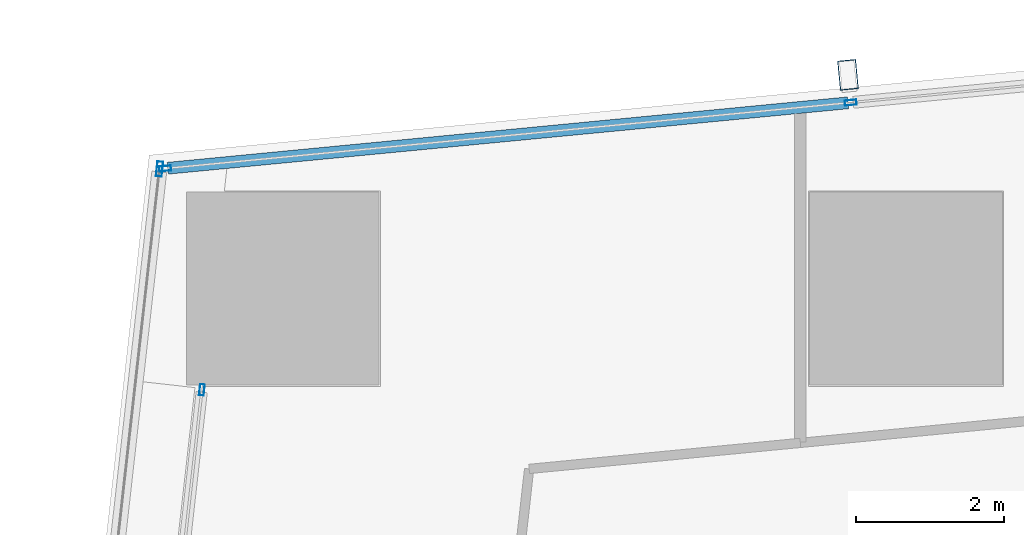
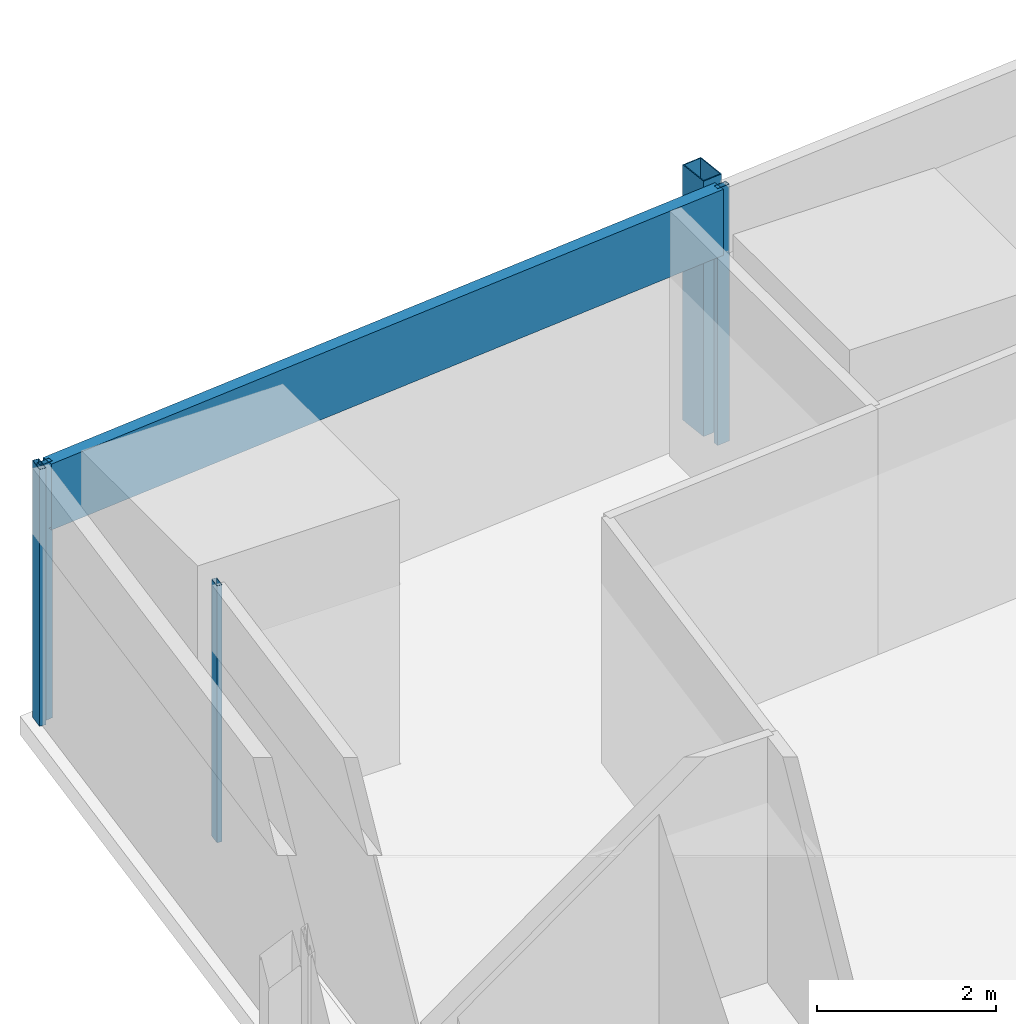
# One storey, part 16 of 46: 6 members, 3 elements without a shape of their own.
"""IFC4 building model written with IfcOpenShell, lengths in metres."""

from ifc_helpers import new_model, si_unit, direction, frame, origin, origin_2d, place, context, subcontext, project, spatial, hollow_rectangle, extrude, material, material_profile, profile_set, type_object, element, aggregate, save


model = new_model("IFC4")

# Units and contexts
model_context = context("Model", 3, precision=1e-05, world=origin(), true_north=direction((0.0, 1.0)))
body_context = subcontext(model_context, "Body", "Model", "MODEL_VIEW")
ifc_project = project(units=[si_unit("LENGTHUNIT", "METRE"), si_unit("AREAUNIT", "SQUARE_METRE"), si_unit("VOLUMEUNIT", "CUBIC_METRE"), si_unit("PLANEANGLEUNIT", "RADIAN"), si_unit("MASSUNIT", "GRAM", prefix="KILO")], contexts=[model_context])

# Site, building, storey
site_placement = place(None, origin())
site = spatial("IfcSite", under=ifc_project, at=site_placement, CompositionType="ELEMENT")
building_placement = place(site_placement, origin())
building = spatial("IfcBuilding", under=site, at=building_placement, Name="Rekha Terrace Tower", CompositionType="ELEMENT")
storey_placement = place(building_placement, frame((0.0, 0.0, 29.14990234375)))
storey = spatial("IfcBuildingStorey", under=building, at=storey_placement, Name="L06", CompositionType="ELEMENT", Elevation=29.14990234375)

# Curtain wall, member
ifc_material_1 = material(Name="Aluminium framing", Category="aluminium")
curtain_wall_type_1 = type_object("IfcCurtainWallType", Name="CW3 north unitised glazing", PredefinedType="USERDEFINED", material=ifc_material_1)
curtain_wall_1_placement = place(storey_placement, origin())
curtain_wall_1 = element("IfcCurtainWall", 1, at=curtain_wall_1_placement, inside=storey, type_object=curtain_wall_type_1, Name="CW3 unitised curtain wall", ObjectType="UNITISED CURTAIN WALL", PredefinedType="USERDEFINED")
ifc_material_2 = material(Name="Steel S355 with fluorocarbon finish", Category="steel")
ifc_material_profile_1 = material_profile(ifc_material_2, hollow_rectangle(XDim=0.25, YDim=0.39990234375, WallThickness=0.012451171875, at=origin_2d()), Name="RHS400x250x12.5")
ifc_profile_set_1 = profile_set([ifc_material_profile_1], Name="Steel S355 with fluorocarbon finish")
member_type_1 = type_object("IfcMemberType", Name="BL1 facade blade RHS 400 x 250", PredefinedType="USERDEFINED", material=ifc_profile_set_1)
member_1_placement = place(storey_placement, frame((16.01708984375, 61.681396484375, 0.02001953125), z_axis=(0.0, 0.0, 1.0), x_axis=(-0.995409070123, -0.095711980009, 0.0)))
member_1 = element("IfcMember", 2, at=member_1_placement, type_object=member_type_1, Name="Facade blade", ObjectType="FACADE BLADE", PredefinedType="USERDEFINED", context=body_context, shape_type="SweptSolid", body=[
    extrude(hollow_rectangle(XDim=0.25, YDim=0.39990234375, WallThickness=0.012451171875, at=origin_2d()), origin(), (0.0, 0.0, 1.0), 3.47998046875),
])

curtain_wall_type_2 = type_object("IfcCurtainWallType", Name="CW1 double skin inner glazing", PredefinedType="USERDEFINED", material=ifc_material_1)
curtain_wall_2_placement = place(storey_placement, origin())
curtain_wall_2 = element("IfcCurtainWall", 3, at=curtain_wall_2_placement, inside=storey, type_object=curtain_wall_type_2, Name="CW1 double skin inner glazing", ObjectType="DOUBLE SKIN INNER GLAZING", PredefinedType="USERDEFINED")
ifc_material_3 = material(Name="Aluminium mullion section", Category="aluminium")
ifc_material_profile_2 = material_profile(ifc_material_3, hollow_rectangle(XDim=0.06494140625, YDim=0.14990234375, WallThickness=0.00390625, at=origin_2d()), Name="AL RHS 65x150")
ifc_profile_set_2 = profile_set([ifc_material_profile_2], Name="Aluminium mullion section")
member_type_2 = type_object("IfcMemberType", Name="CW1 mullion RHS 65 x 150", PredefinedType="MULLION", material=ifc_profile_set_2)
member_2_placement = place(storey_placement, frame((7.31103515625, 57.437255859375, 0.0), z_axis=(0.0, 0.0, 1.0), x_axis=(0.99373861552, -0.111729870782, 0.0)))
member_2 = element("IfcMember", 4, at=member_2_placement, type_object=member_type_2, Name="CW1 mullion 1", PredefinedType="MULLION", context=body_context, shape_type="SweptSolid", body=[
    extrude(hollow_rectangle(XDim=0.06494140625, YDim=0.14990234375, WallThickness=0.00390625, at=origin_2d()), origin(), (0.0, 0.0, 1.0), 3.5),
])
aggregate(curtain_wall_2, [member_2])

curtain_wall_type_3 = type_object("IfcCurtainWallType", Name="CW2 double skin outer glazing", PredefinedType="USERDEFINED", material=ifc_material_1)
curtain_wall_3_placement = place(storey_placement, origin())
curtain_wall_3 = element("IfcCurtainWall", 5, at=curtain_wall_3_placement, inside=storey, type_object=curtain_wall_type_3, Name="CW2 double skin outer glazing", ObjectType="DOUBLE SKIN OUTER GLAZING", PredefinedType="USERDEFINED")
ifc_material_profile_3 = material_profile(ifc_material_3, hollow_rectangle(XDim=0.080078125, YDim=0.199951171875, WallThickness=0.00390625, at=origin_2d()), Name="AL RHS 80x200")
ifc_profile_set_3 = profile_set([ifc_material_profile_3], Name="Aluminium mullion section")
member_type_3 = type_object("IfcMemberType", Name="CW2 mullion RHS 80 x 200", PredefinedType="MULLION", material=ifc_profile_set_3)
member_3_placement = place(storey_placement, frame((6.739990234375, 60.413330078125, 0.0), z_axis=(0.0, 0.0, 1.0), x_axis=(0.99373861552, -0.111729870782, 0.0)))
member_3 = element("IfcMember", 6, at=member_3_placement, type_object=member_type_3, Name="CW2 mullion 1", PredefinedType="MULLION", context=body_context, shape_type="SweptSolid", body=[
    extrude(hollow_rectangle(XDim=0.080078125, YDim=0.199951171875, WallThickness=0.00390625, at=origin_2d()), origin(), (0.0, 0.0, 1.0), 3.5),
])
aggregate(curtain_wall_3, [member_3])

# Member
ifc_material_profile_4 = material_profile(ifc_material_3, hollow_rectangle(XDim=0.070068359375, YDim=0.159912109375, WallThickness=0.00390625, at=origin_2d()), Name="AL RHS 70x160")
ifc_profile_set_4 = profile_set([ifc_material_profile_4], Name="Aluminium mullion section")
member_type_4 = type_object("IfcMemberType", Name="CW3 mullion RHS 70 x 160", PredefinedType="MULLION", material=ifc_profile_set_4)
member_4_placement = place(storey_placement, frame((16.052978515625, 61.30810546875, 0.0), z_axis=(0.0, 0.0, 1.0), x_axis=(0.095712406625, -0.995409029102, 0.0)))
member_4 = element("IfcMember", 7, at=member_4_placement, type_object=member_type_4, Name="CW3 mullion 2", PredefinedType="MULLION", context=body_context, shape_type="SweptSolid", body=[
    extrude(hollow_rectangle(XDim=0.070068359375, YDim=0.159912109375, WallThickness=0.00390625, at=origin_2d()), origin(), (0.0, 0.0, 1.0), 3.5),
])

member_5_placement = place(storey_placement, frame((6.8154296875, 60.419677734375, 0.0), z_axis=(0.0, 0.0, 1.0), x_axis=(0.095712406625, -0.995409029102, 0.0)))
member_5 = element("IfcMember", 8, at=member_5_placement, type_object=member_type_4, Name="CW3 mullion 3", PredefinedType="MULLION", context=body_context, shape_type="SweptSolid", body=[
    extrude(hollow_rectangle(XDim=0.070068359375, YDim=0.159912109375, WallThickness=0.00390625, at=origin_2d()), origin(), (0.0, 0.0, 1.0), 3.5),
])

ifc_material_4 = material(Name="Insulated aluminium spandrel box", Category="aluminium")
ifc_material_profile_5 = material_profile(ifc_material_4, hollow_rectangle(XDim=0.159912109375, YDim=0.89990234375, WallThickness=0.0029296875, at=origin_2d()), Name="AL SPANDREL BOX 160x900")
ifc_profile_set_5 = profile_set([ifc_material_profile_5], Name="Insulated aluminium spandrel box")
member_type_5 = type_object("IfcMemberType", Name="CW3 spandrel transom 160 x 900", PredefinedType="USERDEFINED", material=ifc_profile_set_5)
member_6_placement = place(storey_placement, frame((16.018310546875, 61.3046875, 3.050048828125), z_axis=(-0.995408446287, -0.095718467713, 0.0), x_axis=(0.095718467713, -0.995408446287, 0.0)))
member_6 = element("IfcMember", 9, at=member_6_placement, type_object=member_type_5, Name="CW3 spandrel transom 2", ObjectType="TRANSOM", PredefinedType="USERDEFINED", context=body_context, shape_type="SweptSolid", body=[
    extrude(hollow_rectangle(XDim=0.159912109375, YDim=0.89990234375, WallThickness=0.0029296875, at=origin_2d()), origin(), (0.0, 0.0, 1.0), 9.210205078125),
])

aggregate(curtain_wall_1, [member_4, member_5, member_6, member_1])

save(model, "model.ifc")
